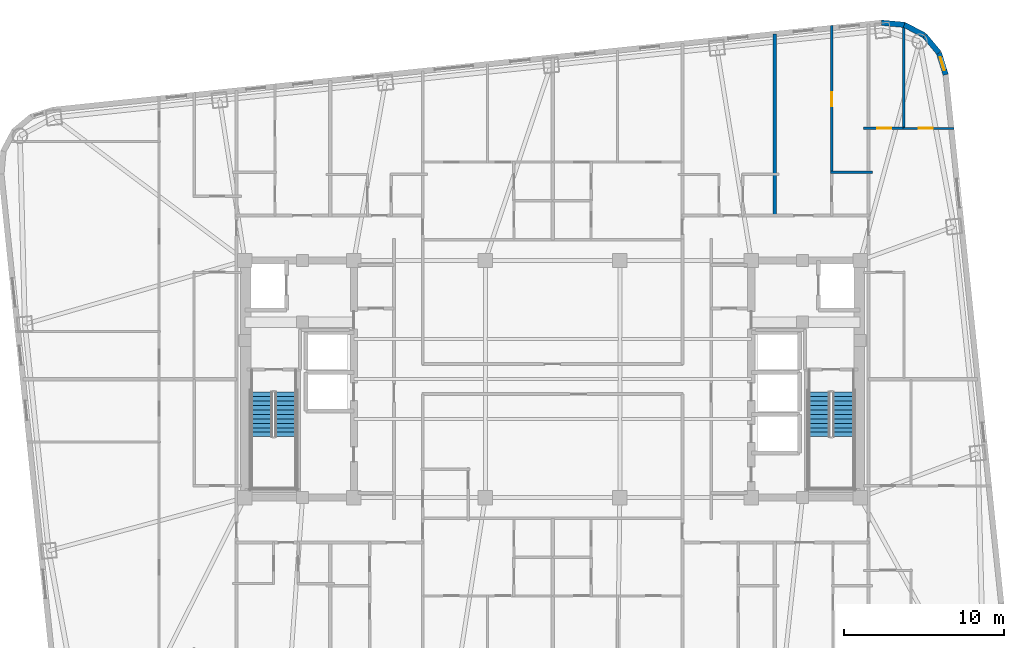
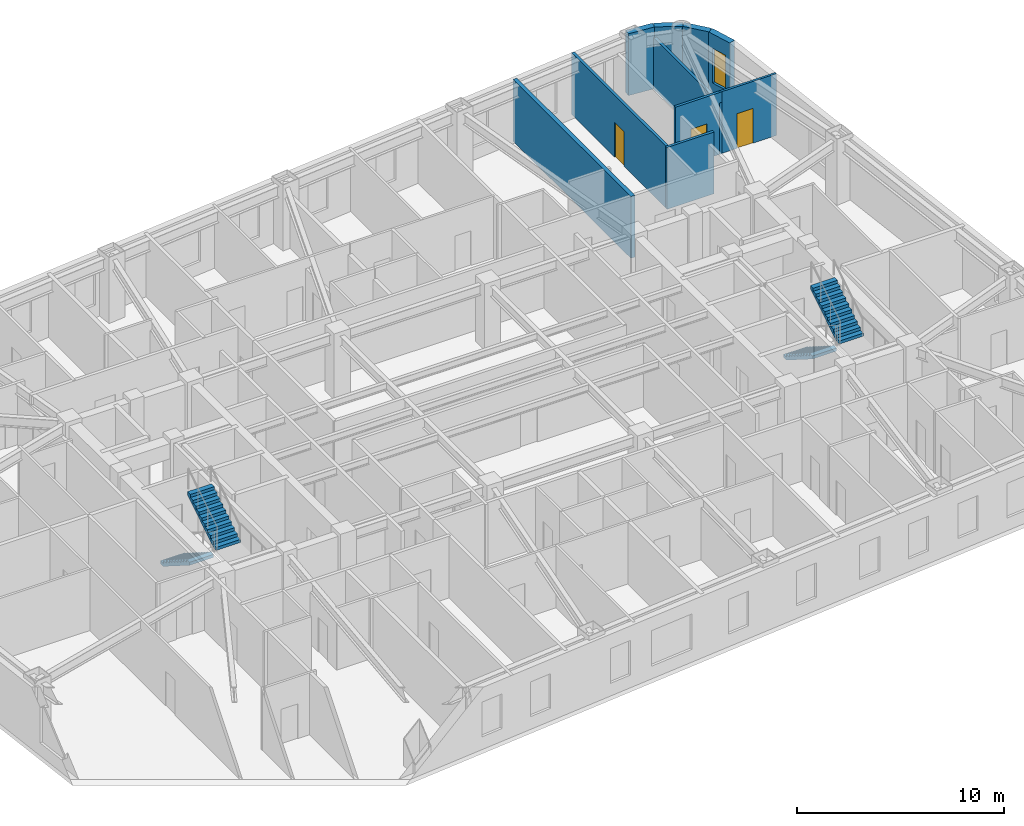
# One storey, part 10 of 12: 10 walls, 4 stair flights, 3 doors, 1 window, 4 openings, 2 elements without a shape of their own.
"""IFC4 building model written with IfcOpenShell, lengths in metres."""

from ifc_helpers import new_model, si_unit, direction, frame, frame_2d, origin, place, context, subcontext, project, spatial, polyline, rectangle, outline, extrude, material, layer, layer_set, type_object, element, fill, aggregate, save


model = new_model("IFC4")

# Units and contexts
model_context = context("Model", 3, precision=1e-05, world=origin(), true_north=direction((0.0, 1.0)))
body_context = subcontext(model_context, "Body", "Model", "MODEL_VIEW")
ifc_project = project(units=[si_unit("LENGTHUNIT", "METRE"), si_unit("AREAUNIT", "SQUARE_METRE"), si_unit("VOLUMEUNIT", "CUBIC_METRE"), si_unit("PLANEANGLEUNIT", "RADIAN"), si_unit("MASSUNIT", "GRAM", prefix="KILO")], contexts=[model_context])

# Site, building, storey
site_placement = place(None, origin())
site = spatial("IfcSite", under=ifc_project, at=site_placement, CompositionType="ELEMENT")
building_placement = place(site_placement, origin())
building = spatial("IfcBuilding", under=site, at=building_placement, Name="Voryun Gate Residences", CompositionType="ELEMENT")
storey_placement = place(building_placement, frame((0.0, 0.0, 187.199951171875)))
storey = spatial("IfcBuildingStorey", under=building, at=storey_placement, Name="L46", CompositionType="ELEMENT", Elevation=187.199951171875)

# Walls
ifc_material_1 = material(Name="Charcoal terracotta masonry", Category="masonry")
ifc_layer_1 = layer(ifc_material_1, 0.340087890625, Name="W_EXT_TERRACOTTA_340")
ifc_layer_set_1 = layer_set([ifc_layer_1], Name="Charcoal terracotta masonry")
wall_type_1 = type_object("IfcWallType", Name="W_EXT_TERRACOTTA_340", PredefinedType="ELEMENTEDWALL", material=ifc_layer_set_1)
wall_1_placement = place(storey_placement, frame((20.5263671875, 22.235107421875, 0.0), z_axis=(0.0, 0.0, 1.0), x_axis=(0.995800460351, -0.091550222087, 0.0)))
element("IfcWall", 1, at=wall_1_placement, inside=storey, type_object=wall_type_1, Name="Exterior wall WEXT-L46-12", PredefinedType="ELEMENTEDWALL", context=body_context, shape_type="SweptSolid", body=[
    extrude(rectangle(XDim=1.43212890625, YDim=0.340087890625, at=frame_2d((0.716064453125, 0.0))), origin(), (0.0, 0.0, 1.0), 3.650146484375),
])
wall_2_placement = place(storey_placement, frame((21.952392578125, 22.10400390625, 0.0), z_axis=(0.0, 0.0, 1.0), x_axis=(0.885023004245, -0.465547292933, 0.0)))
element("IfcWall", 2, at=wall_2_placement, inside=storey, type_object=wall_type_1, Name="Exterior wall WEXT-L46-13", PredefinedType="ELEMENTEDWALL", context=body_context, shape_type="SweptSolid", body=[
    extrude(rectangle(XDim=1.414794921875, YDim=0.340087890625, at=frame_2d((0.70751953125, 0.0))), origin(), (0.0, 0.0, 1.0), 3.650146484375),
])
wall_3_placement = place(storey_placement, frame((23.20458984375, 21.4453125, 0.0), z_axis=(0.0, 0.0, 1.0), x_axis=(0.639539337522, -0.768758372808, 0.0)))
element("IfcWall", 3, at=wall_3_placement, inside=storey, type_object=wall_type_1, Name="Exterior wall WEXT-L46-14", PredefinedType="ELEMENTEDWALL", context=body_context, shape_type="SweptSolid", body=[
    extrude(rectangle(XDim=1.4150390625, YDim=0.340087890625, at=frame_2d((0.70751953125, 0.0))), origin(), (0.0, 0.0, 1.0), 3.650146484375),
])

# Wall, opening, window
wall_4_placement = place(storey_placement, frame((24.109619140625, 20.357421875, 0.0), z_axis=(0.0, 0.0, 1.0), x_axis=(0.296420660287, -0.955057481074, 0.0)))
wall_4 = element("IfcWall", 4, at=wall_4_placement, inside=storey, type_object=wall_type_1, Name="Exterior wall WEXT-L46-15", PredefinedType="ELEMENTEDWALL", context=body_context, shape_type="SweptSolid", body=[
    extrude(rectangle(XDim=1.432373046875, YDim=0.340087890625, at=frame_2d((0.71630859375, 0.0))), origin(), (0.0, 0.0, 1.0), 3.650146484375),
])
opening_1_placement = place(wall_4_placement, frame((0.291015625, 0.0, 0.75)))
opening_1 = element("IfcOpeningElement", 5, at=opening_1_placement, cuts=wall_4, Name="Opening WN9", PredefinedType="OPENING", context=body_context, shape_type="SweptSolid", body=[
    extrude(rectangle(XDim=0.85009765625, YDim=2.050048828125, at=frame_2d((0.425048828125, 1.02490234375))), frame((0.0, 0.179931640625, 0.0), z_axis=(0.0, -1.0, 0.0), x_axis=(1.0, 0.0, 0.0)), (0.0, 0.0, 1.0), 0.360107421875),
])
ifc_material_2 = material(Name="Laminated low-E glass", Category="glass")
window_type = type_object("IfcWindowType", Name="WN_RES_CASEMENT_850", PartitioningType="SINGLE_PANEL", PredefinedType="WINDOW", material=ifc_material_2)
window_placement = place(opening_1_placement, origin())
window = element("IfcWindow", 6, at=window_placement, inside=storey, type_object=window_type, Name="Window WN-L46-DWFIX-28", OverallHeight=2.050048828125, OverallWidth=0.85009765625, PartitioningType="SINGLE_PANEL", PredefinedType="WINDOW", context=body_context, shape_type="SweptSolid", body=[
    extrude(rectangle(XDim=0.85009765625, YDim=2.050048828125, at=frame_2d((0.425048828125, 1.02490234375))), frame((0.0, 0.030029296875, 0.0), z_axis=(0.0, -1.0, 0.0), x_axis=(1.0, 0.0, 0.0)), (0.0, 0.0, 1.0), 0.06005859375),
])
fill(opening_1, window)

# Wall
ifc_material_3 = material(Name="Concrete C40/50", Category="concrete")
ifc_layer_2 = layer(ifc_material_3, 0.219970703125, Name="W_PARTY_ACOUSTIC_220")
ifc_layer_set_2 = layer_set([ifc_layer_2], Name="Concrete C40/50")
wall_type_2 = type_object("IfcWallType", Name="W_PARTY_ACOUSTIC_220", PredefinedType="PARTITIONING", material=ifc_layer_set_2)
wall_5_placement = place(storey_placement, frame((13.864990234375, 10.1201171875, 0.0), z_axis=(0.0, 0.0, 1.0), x_axis=(0.0, 1.0, 0.0)))
element("IfcWall", 7, at=wall_5_placement, inside=storey, type_object=wall_type_2, Name="Partition wall WP-L46-NPTY-4", PredefinedType="PARTITIONING", context=body_context, shape_type="SweptSolid", body=[
    extrude(rectangle(XDim=11.414794921875, YDim=0.219970703125, at=frame_2d((5.70751953125, 0.0))), origin(), (0.0, 0.0, 1.0), 3.650146484375),
])

# Wall, opening, door
ifc_material_4 = material(Name="Gypsum acoustic partition")
ifc_layer_3 = layer(ifc_material_4, 0.125, Name="W_UNIT_PART_125")
ifc_layer_set_3 = layer_set([ifc_layer_3], Name="Gypsum acoustic partition")
wall_type_3 = type_object("IfcWallType", Name="W_UNIT_PART_125", PredefinedType="PARTITIONING", material=ifc_layer_set_3)
wall_6_placement = place(storey_placement, frame((21.860107421875, 15.64208984375, 0.0), z_axis=(0.0, 0.0, 1.0), x_axis=(1.0, 0.0, 0.0)))
wall_6 = element("IfcWall", 8, at=wall_6_placement, inside=storey, type_object=wall_type_3, Name="Partition wall WP-L46-E2-OHZ", PredefinedType="PARTITIONING", context=body_context, shape_type="SweptSolid", body=[
    extrude(rectangle(XDim=3.1767578125, YDim=0.125, at=frame_2d((1.58837890625, 0.0))), origin(), (0.0, 0.0, 1.0), 3.650146484375),
])
opening_2_placement = place(wall_6_placement, frame((0.9794921875, 0.0, 0.0)))
opening_2 = element("IfcOpeningElement", 9, at=opening_2_placement, cuts=wall_6, Name="Opening D-INT-2", PredefinedType="OPENING", context=body_context, shape_type="SweptSolid", body=[
    extrude(rectangle(XDim=0.89990234375, YDim=2.050048828125, at=frame_2d((0.449951171875, 1.02490234375))), frame((0.0, 0.072509765625, 0.0), z_axis=(0.0, -1.0, 0.0), x_axis=(1.0, 0.0, 0.0)), (0.0, 0.0, 1.0), 0.14501953125),
])
ifc_material_5 = material(Name="Architectural oak veneer")
door_type = type_object("IfcDoorType", Name="DR_INT_BATH_900", OperationType="NOTDEFINED", PredefinedType="DOOR", material=ifc_material_5)
door_1_placement = place(opening_2_placement, origin())
door_1 = element("IfcDoor", 10, at=door_1_placement, inside=storey, type_object=door_type, Name="Door DR-L46-E2-DMB", OperationType="SINGLE_SWING_LEFT", OverallHeight=2.050048828125, OverallWidth=0.89990234375, PredefinedType="DOOR", context=body_context, shape_type="SweptSolid", body=[
    extrude(rectangle(XDim=0.89990234375, YDim=2.050048828125, at=frame_2d((0.449951171875, 1.02490234375))), frame((0.0, 0.02490234375, 0.0), z_axis=(0.0, -1.0, 0.0), x_axis=(1.0, 0.0, 0.0)), (0.0, 0.0, 1.0), 0.050048828125),
])
fill(opening_2, door_1)

# Wall
ifc_material_6 = material(Name="Gypsum moisture-resistant partition")
ifc_layer_4 = layer(ifc_material_6, 0.14990234375, Name="W_WET_PLUMB_150")
ifc_layer_set_4 = layer_set([ifc_layer_4], Name="Gypsum moisture-resistant partition")
wall_type_4 = type_object("IfcWallType", Name="W_WET_PLUMB_150", PredefinedType="PLUMBINGWALL", material=ifc_layer_set_4)
wall_7_placement = place(storey_placement, frame((17.3369140625, 12.89990234375, 0.0), z_axis=(0.0, 0.0, 1.0), x_axis=(1.0, 0.0, 0.0)))
element("IfcWall", 11, at=wall_7_placement, inside=storey, type_object=wall_type_4, Name="Partition wall WP-L46-N5-SKB", PredefinedType="PLUMBINGWALL", context=body_context, shape_type="SweptSolid", body=[
    extrude(rectangle(XDim=2.633056640625, YDim=0.14990234375, at=frame_2d((1.31640625, 0.0))), origin(), (0.0, 0.0, 1.0), 3.650146484375),
])

# Wall, opening, door
wall_8_placement = place(storey_placement, frame((17.4169921875, 12.860107421875, 0.0), z_axis=(0.0, 0.0, 1.0), x_axis=(0.0, 1.0, 0.0)))
wall_8 = element("IfcWall", 12, at=wall_8_placement, inside=storey, type_object=wall_type_4, Name="Partition wall WP-L46-N5-SVT2", PredefinedType="PLUMBINGWALL", context=body_context, shape_type="SweptSolid", body=[
    extrude(rectangle(XDim=9.198974609375, YDim=0.14990234375, at=frame_2d((4.599609375, 0.0))), origin(), (0.0, 0.0, 1.0), 3.650146484375),
])
opening_3_placement = place(wall_8_placement, frame((4.149658203125, 0.0, 0.0)))
opening_3 = element("IfcOpeningElement", 13, at=opening_3_placement, cuts=wall_8, Name="Opening D-INT-2", PredefinedType="OPENING", context=body_context, shape_type="SweptSolid", body=[
    extrude(rectangle(XDim=0.89990234375, YDim=2.050048828125, at=frame_2d((0.449951171875, 1.02490234375))), frame((0.0, 0.0849609375, 0.0), z_axis=(0.0, -1.0, 0.0), x_axis=(1.0, 0.0, 0.0)), (0.0, 0.0, 1.0), 0.169921875),
])
door_2_placement = place(opening_3_placement, origin())
door_2 = element("IfcDoor", 14, at=door_2_placement, inside=storey, type_object=door_type, Name="Door DR-L46-N5-DK", OperationType="SINGLE_SWING_RIGHT", OverallHeight=2.050048828125, OverallWidth=0.89990234375, PredefinedType="DOOR", context=body_context, shape_type="SweptSolid", body=[
    extrude(rectangle(XDim=0.89990234375, YDim=2.050048828125, at=frame_2d((0.449951171875, 1.02490234375))), frame((0.0, 0.02490234375, 0.0), z_axis=(0.0, -1.0, 0.0), x_axis=(1.0, 0.0, 0.0)), (0.0, 0.0, 1.0), 0.050048828125),
])
fill(opening_3, door_2)

wall_9_placement = place(storey_placement, frame((19.39990234375, 15.64208984375, 0.0), z_axis=(0.0, 0.0, 1.0), x_axis=(1.0, 0.0, 0.0)))
wall_9 = element("IfcWall", 15, at=wall_9_placement, inside=storey, type_object=wall_type_4, Name="Partition wall WP-L46-E2-IBB", PredefinedType="PLUMBINGWALL", context=body_context, shape_type="SweptSolid", body=[
    extrude(rectangle(XDim=2.60009765625, YDim=0.14990234375, at=frame_2d((1.300048828125, 0.0))), origin(), (0.0, 0.0, 1.0), 3.650146484375),
])
opening_4_placement = place(wall_9_placement, frame((0.85009765625, 0.0, 0.0)))
opening_4 = element("IfcOpeningElement", 16, at=opening_4_placement, cuts=wall_9, Name="Opening D-INT-2", PredefinedType="OPENING", context=body_context, shape_type="SweptSolid", body=[
    extrude(rectangle(XDim=0.89990234375, YDim=2.050048828125, at=frame_2d((0.449951171875, 1.02490234375))), frame((0.0, 0.0849609375, 0.0), z_axis=(0.0, -1.0, 0.0), x_axis=(1.0, 0.0, 0.0)), (0.0, 0.0, 1.0), 0.169921875),
])
door_3_placement = place(opening_4_placement, origin())
door_3 = element("IfcDoor", 17, at=door_3_placement, inside=storey, type_object=door_type, Name="Door DR-L46-E2-DB", OperationType="SINGLE_SWING_RIGHT", OverallHeight=2.050048828125, OverallWidth=0.89990234375, PredefinedType="DOOR", context=body_context, shape_type="SweptSolid", body=[
    extrude(rectangle(XDim=0.89990234375, YDim=2.050048828125, at=frame_2d((0.449951171875, 1.02490234375))), frame((0.0, 0.02490234375, 0.0), z_axis=(0.0, -1.0, 0.0), x_axis=(1.0, 0.0, 0.0)), (0.0, 0.0, 1.0), 0.050048828125),
])
fill(opening_4, door_3)

# Wall
wall_10_placement = place(storey_placement, frame((21.919921875, 15.56201171875, 0.0), z_axis=(0.0, 0.0, 1.0), x_axis=(0.0, 1.0, 0.0)))
element("IfcWall", 18, at=wall_10_placement, inside=storey, type_object=wall_type_4, Name="Partition wall WP-L46-E2-VTB", PredefinedType="PLUMBINGWALL", context=body_context, shape_type="SweptSolid", body=[
    extrude(rectangle(XDim=6.69580078125, YDim=0.14990234375, at=frame_2d((3.347900390625, 0.0))), origin(), (0.0, 0.0, 1.0), 3.0400390625),
])

# Stair, stair flights
ifc_material_7 = material(Name="Concrete C40/50", Category="concrete")
stair_type = type_object("IfcStairType", Name="STR_CORE_DOGLEG_1350", PredefinedType="HALF_TURN_STAIR", material=ifc_material_7)
stair_1_placement = place(storey_placement, origin())
stair_1 = element("IfcStair", 19, at=stair_1_placement, inside=storey, type_object=stair_type, Name="L46 Special Escape Stair ST-W1", PredefinedType="HALF_TURN_STAIR")
ifc_material_8 = material(Name="Concrete C40/50", Category="concrete")
stair_flight_type = type_object("IfcStairFlightType", Name="FLT_CORE_1350", PredefinedType="STRAIGHT", material=ifc_material_8)
stair_flight_1_placement = place(storey_placement, frame((-18.14990234375, -0.800048828125, 0.0), z_axis=(0.0, 0.0, 1.0), x_axis=(0.0, -1.0, 0.0)))
stair_flight_1 = element("IfcStairFlight", 20, at=stair_flight_1_placement, type_object=stair_flight_type, Name="ST-W1 flight 1", NumberOfRisers=11, NumberOfTreads=10, PredefinedType="STRAIGHT", RiserHeight=0.177272727, TreadLength=0.28, context=body_context, shape_type="SweptSolid", body=[
    extrude(outline(polyline([(0.0, 0.0), (0.0, 0.17724609375), (0.280029296875, 0.17724609375), (0.280029296875, 0.3544921875), (0.56005859375, 0.3544921875), (0.56005859375, 0.53173828125), (0.840087890625, 0.53173828125), (0.840087890625, 0.708984375), (1.1201171875, 0.708984375), (1.1201171875, 0.886474609375), (1.39990234375, 0.886474609375), (1.39990234375, 1.063720703125), (1.679931640625, 1.063720703125), (1.679931640625, 1.240966796875), (1.9599609375, 1.240966796875), (1.9599609375, 1.418212890625), (2.239990234375, 1.418212890625), (2.239990234375, 1.595458984375), (2.52001953125, 1.595458984375), (2.52001953125, 1.772705078125), (2.800048828125, 1.772705078125), (2.800048828125, 1.949951171875), (2.800048828125, 1.59521484375), (0.2802734375, 0.0), (0.0, 0.0)])), frame((0.0, 0.675048828125, 0.0), z_axis=(0.0, -1.0, 0.0), x_axis=(1.0, 0.0, 0.0)), (0.0, 0.0, 1.0), 1.35009765625),
])
stair_flight_2_placement = place(storey_placement, frame((-16.64990234375, -3.60009765625, 1.949951171875), z_axis=(0.0, 0.0, 1.0), x_axis=(0.0, 1.0, 0.0)))
stair_flight_2 = element("IfcStairFlight", 21, at=stair_flight_2_placement, type_object=stair_flight_type, Name="ST-W1 flight 2", NumberOfRisers=11, NumberOfTreads=10, PredefinedType="STRAIGHT", RiserHeight=0.177272727, TreadLength=0.28, context=body_context, shape_type="SweptSolid", body=[
    extrude(outline(polyline([(0.0, 0.0), (0.0, 0.17724609375), (0.280029296875, 0.17724609375), (0.280029296875, 0.3544921875), (0.56005859375, 0.3544921875), (0.56005859375, 0.53173828125), (0.840087890625, 0.53173828125), (0.840087890625, 0.708984375), (1.1201171875, 0.708984375), (1.1201171875, 0.886474609375), (1.39990234375, 0.886474609375), (1.39990234375, 1.063720703125), (1.679931640625, 1.063720703125), (1.679931640625, 1.240966796875), (1.9599609375, 1.240966796875), (1.9599609375, 1.418212890625), (2.239990234375, 1.418212890625), (2.239990234375, 1.595458984375), (2.52001953125, 1.595458984375), (2.52001953125, 1.772705078125), (2.800048828125, 1.772705078125), (2.800048828125, 1.949951171875), (2.800048828125, 1.59521484375), (0.2802734375, 0.0), (0.0, 0.0)])), frame((0.0, 0.675048828125, 0.0), z_axis=(0.0, -1.0, 0.0), x_axis=(1.0, 0.0, 0.0)), (0.0, 0.0, 1.0), 1.35009765625),
])
aggregate(stair_1, [stair_flight_1, stair_flight_2])

stair_2_placement = place(storey_placement, origin())
stair_2 = element("IfcStair", 22, at=stair_2_placement, inside=storey, type_object=stair_type, Name="L46 Special Escape Stair ST-E1", PredefinedType="HALF_TURN_STAIR")
stair_flight_3_placement = place(storey_placement, frame((16.64990234375, -0.800048828125, 0.0), z_axis=(0.0, 0.0, 1.0), x_axis=(0.0, -1.0, 0.0)))
stair_flight_3 = element("IfcStairFlight", 23, at=stair_flight_3_placement, type_object=stair_flight_type, Name="ST-E1 flight 1", NumberOfRisers=11, NumberOfTreads=10, PredefinedType="STRAIGHT", RiserHeight=0.177272727, TreadLength=0.28, context=body_context, shape_type="SweptSolid", body=[
    extrude(outline(polyline([(0.0, 0.0), (0.0, 0.17724609375), (0.280029296875, 0.17724609375), (0.280029296875, 0.3544921875), (0.56005859375, 0.3544921875), (0.56005859375, 0.53173828125), (0.840087890625, 0.53173828125), (0.840087890625, 0.708984375), (1.1201171875, 0.708984375), (1.1201171875, 0.886474609375), (1.39990234375, 0.886474609375), (1.39990234375, 1.063720703125), (1.679931640625, 1.063720703125), (1.679931640625, 1.240966796875), (1.9599609375, 1.240966796875), (1.9599609375, 1.418212890625), (2.239990234375, 1.418212890625), (2.239990234375, 1.595458984375), (2.52001953125, 1.595458984375), (2.52001953125, 1.772705078125), (2.800048828125, 1.772705078125), (2.800048828125, 1.949951171875), (2.800048828125, 1.59521484375), (0.2802734375, 0.0), (0.0, 0.0)])), frame((0.0, 0.675048828125, 0.0), z_axis=(0.0, -1.0, 0.0), x_axis=(1.0, 0.0, 0.0)), (0.0, 0.0, 1.0), 1.35009765625),
])
stair_flight_4_placement = place(storey_placement, frame((18.14990234375, -3.60009765625, 1.949951171875), z_axis=(0.0, 0.0, 1.0), x_axis=(0.0, 1.0, 0.0)))
stair_flight_4 = element("IfcStairFlight", 24, at=stair_flight_4_placement, type_object=stair_flight_type, Name="ST-E1 flight 2", NumberOfRisers=11, NumberOfTreads=10, PredefinedType="STRAIGHT", RiserHeight=0.177272727, TreadLength=0.28, context=body_context, shape_type="SweptSolid", body=[
    extrude(outline(polyline([(0.0, 0.0), (0.0, 0.17724609375), (0.280029296875, 0.17724609375), (0.280029296875, 0.3544921875), (0.56005859375, 0.3544921875), (0.56005859375, 0.53173828125), (0.840087890625, 0.53173828125), (0.840087890625, 0.708984375), (1.1201171875, 0.708984375), (1.1201171875, 0.886474609375), (1.39990234375, 0.886474609375), (1.39990234375, 1.063720703125), (1.679931640625, 1.063720703125), (1.679931640625, 1.240966796875), (1.9599609375, 1.240966796875), (1.9599609375, 1.418212890625), (2.239990234375, 1.418212890625), (2.239990234375, 1.595458984375), (2.52001953125, 1.595458984375), (2.52001953125, 1.772705078125), (2.800048828125, 1.772705078125), (2.800048828125, 1.949951171875), (2.800048828125, 1.59521484375), (0.2802734375, 0.0), (0.0, 0.0)])), frame((0.0, 0.675048828125, 0.0), z_axis=(0.0, -1.0, 0.0), x_axis=(1.0, 0.0, 0.0)), (0.0, 0.0, 1.0), 1.35009765625),
])
aggregate(stair_2, [stair_flight_3, stair_flight_4])

save(model, "model.ifc")
